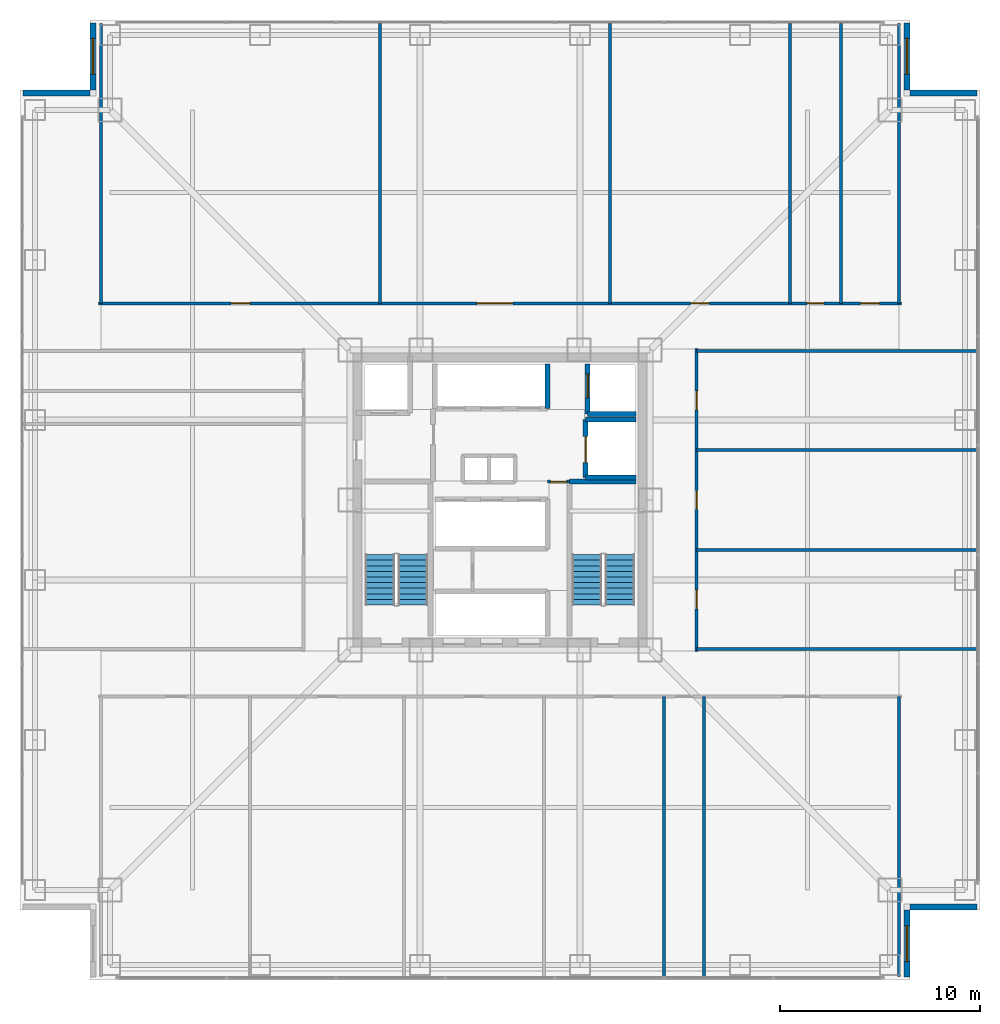
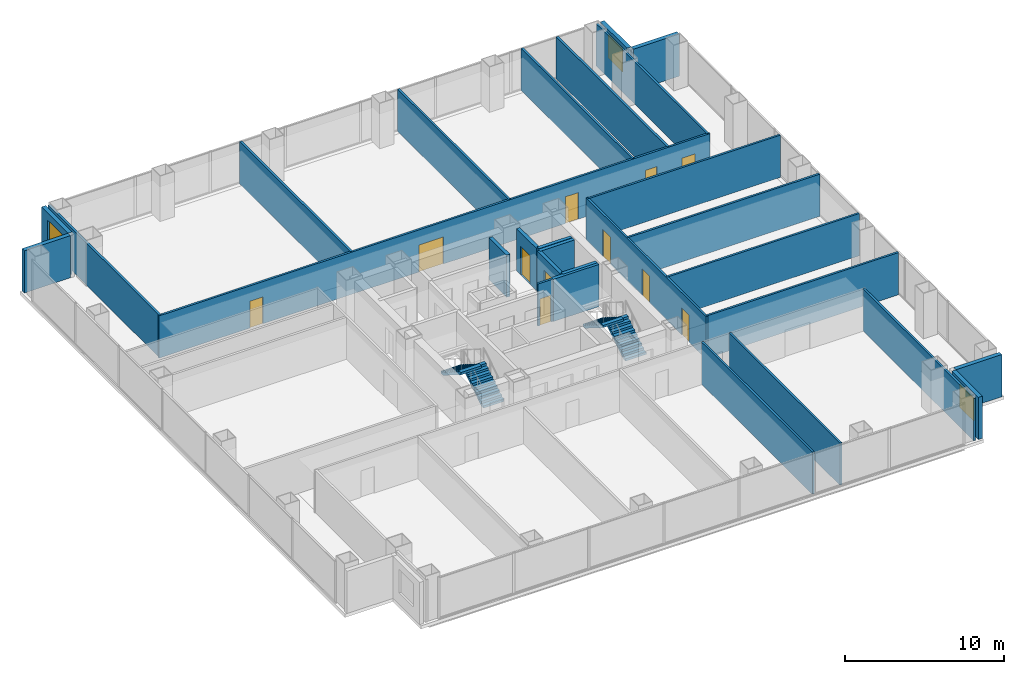
# One storey, part 16 of 19: 29 walls, 11 doors, 4 stair flights, 3 windows, 14 openings, 2 elements without a shape of their own.
"""IFC4 building model written with IfcOpenShell, lengths in metres."""

import ifcopenshell
import ifcopenshell.guid

model = None  # the IFC model being written
_history = None  # IfcOwnerHistory: only IFC2X3 demands one
_inside = {}  # id of a spatial element -> (the spatial element, [elements in it])
_under = {}  # id of a project, library or spatial element -> (it, [spatial elements below it])
_declared = {}  # id of a project -> (the project, [libraries it declares])
_typed = {}  # id of a type object -> (the type object, [elements of that type])
_made_of = {}  # id of a material, layer set ... -> (it, [elements and type objects made of it])


def new_model(schema):
    """Start an empty IFC model of exactly this schema.

    Asked for "IFC4X3", IfcOpenShell would pick the latest addendum, in which some entities
    have other attributes; the version numbers below select the first issue.
    IFC2X3 requires an IfcOwnerHistory on every rooted entity: one is made here for all.
    """
    global model, _history
    if schema == "IFC4X3":
        model = ifcopenshell.file(schema_version=(4, 3, 0, 0))
    else:
        model = ifcopenshell.file(schema=schema)
    _inside.clear()
    _under.clear()
    _declared.clear()
    _typed.clear()
    _made_of.clear()
    _history = None
    if model.schema == "IFC2X3":
        org = make("IfcOrganization", Name="unknown")
        user = make(
            "IfcPersonAndOrganization",
            ThePerson=make("IfcPerson", FamilyName="unknown"),
            TheOrganization=org,
        )
        app = make(
            "IfcApplication",
            ApplicationDeveloper=org,
            Version="unknown",
            ApplicationFullName="unknown",
            ApplicationIdentifier="unknown",
        )
        _history = make(
            "IfcOwnerHistory",
            OwningUser=user,
            OwningApplication=app,
            ChangeAction="ADDED",
            CreationDate=0,
        )
    return model


def make(cls, **values):
    """One entity of the class cls with the attributes given. An attribute that is None is left unset."""
    return model.create_entity(
        cls, **{name: value for name, value in values.items() if value is not None}
    )


def rooted(cls, **values):
    """An entity with a GlobalId (a new one), such as an element, a storey or a relation."""
    return make(cls, GlobalId=ifcopenshell.guid.new(), OwnerHistory=_history, **values)


def si_unit(unit_type, name, prefix=None):
    """IfcSIUnit, for example si_unit("LENGTHUNIT", "METRE", prefix="MILLI")."""
    return make("IfcSIUnit", UnitType=unit_type, Prefix=prefix, Name=name)


def assignment(units):
    """IfcUnitAssignment: the units of a project."""
    return None if units is None else make("IfcUnitAssignment", Units=units)


def point(xyz):
    """IfcCartesianPoint."""
    return None if xyz is None else make("IfcCartesianPoint", Coordinates=xyz)


def direction(xyz):
    """IfcDirection."""
    return None if xyz is None else make("IfcDirection", DirectionRatios=xyz)


def frame(location, z_axis=None, x_axis=None):
    """IfcAxis2Placement3D, a coordinate frame: its origin and axes. An axis left out is left unset."""
    return make(
        "IfcAxis2Placement3D",
        Location=point(location),
        Axis=direction(z_axis),
        RefDirection=direction(x_axis),
    )


def frame_2d(location, x_axis=None):
    """IfcAxis2Placement2D, a coordinate frame in the plane: its origin and x axis."""
    return make(
        "IfcAxis2Placement2D", Location=point(location), RefDirection=direction(x_axis)
    )


def origin():
    """The frame at (0, 0, 0) with its axes left unset."""
    return frame((0.0, 0.0, 0.0))


def place(relative_to, where):
    """IfcLocalPlacement: puts the frame where relative to a parent placement (None: the world)."""
    return make(
        "IfcLocalPlacement", PlacementRelTo=relative_to, RelativePlacement=where
    )


def context(
    kind, dimensions, precision=None, world=None, true_north=None, identifier=None
):
    """IfcGeometricRepresentationContext, for example the 3D "Model" context."""
    return make(
        "IfcGeometricRepresentationContext",
        ContextIdentifier=identifier,
        ContextType=kind,
        CoordinateSpaceDimension=dimensions,
        Precision=precision,
        WorldCoordinateSystem=world,
        TrueNorth=true_north,
    )


def subcontext(parent, identifier, kind, view, scale=None):
    """IfcGeometricRepresentationSubContext, for example "Body" below "Model"."""
    return make(
        "IfcGeometricRepresentationSubContext",
        ContextIdentifier=identifier,
        ContextType=kind,
        ParentContext=parent,
        TargetScale=scale,
        TargetView=view,
    )


def project(units=None, contexts=None):
    """IfcProject with its units and contexts."""
    return rooted(
        "IfcProject",
        Name="project",
        RepresentationContexts=contexts,
        UnitsInContext=assignment(units),
    )


def spatial(cls, under=None, at=None, **own):
    """A site, building, storey or space (cls), placed at a placement, below another one or the project."""
    s = rooted(cls, ObjectPlacement=at, **own)
    if under is not None:
        _under.setdefault(under.id(), (under, []))[1].append(s)
    return s


def polyline(points):
    """IfcPolyline through the points."""
    return make("IfcPolyline", Points=[point(p) for p in points])


def profile(cls, at=None, kind="AREA", **sizes):
    """A parametric profile (cls). Its sizes go by their IFC names, for example OverallWidth=200.0."""
    return make(cls, ProfileType=kind, Position=at, **sizes)


def rectangle(**sizes):
    """IfcRectangleProfileDef."""
    return profile("IfcRectangleProfileDef", **sizes)


def outline(outer, holes=None, kind="AREA"):
    """IfcArbitraryClosedProfileDef: a profile drawn as a closed curve; with holes, ...WithVoids."""
    if holes is None:
        return make("IfcArbitraryClosedProfileDef", ProfileType=kind, OuterCurve=outer)
    return make(
        "IfcArbitraryProfileDefWithVoids",
        ProfileType=kind,
        OuterCurve=outer,
        InnerCurves=holes,
    )


def extrude(swept, where, along, depth):
    """IfcExtrudedAreaSolid: the profile swept, set in the frame where, extruded along a direction by depth."""
    return make(
        "IfcExtrudedAreaSolid",
        SweptArea=swept,
        Position=where,
        ExtrudedDirection=direction(along),
        Depth=depth,
    )


def shape(context_of_items, identifier, shape_type, items):
    """IfcShapeRepresentation: the items that make up one representation, for example the "Body"."""
    return make(
        "IfcShapeRepresentation",
        ContextOfItems=context_of_items,
        RepresentationIdentifier=identifier,
        RepresentationType=shape_type,
        Items=items,
    )


def material(Name=None, Category=None):
    """IfcMaterial."""
    return make("IfcMaterial", Name=Name, Category=Category)


def layer(
    of_material, thickness, ventilated=None, Name=None, Category=None, Priority=None
):
    """IfcMaterialLayer: one layer of a wall or slab, of a material (None: an air gap)."""
    return make(
        "IfcMaterialLayer",
        Material=of_material,
        LayerThickness=thickness,
        IsVentilated=ventilated,
        Name=Name,
        Category=Category,
        Priority=Priority,
    )


def layer_set(layers, Name=None):
    """IfcMaterialLayerSet."""
    return make("IfcMaterialLayerSet", MaterialLayers=layers, LayerSetName=Name)


def made_of(thing, what):
    """Note that an element or type object is made of a material, layer set ...; save() writes the relation."""
    if what is not None:
        _made_of.setdefault(what.id(), (what, []))[1].append(thing)
    return thing


def type_object(cls, material=None, **own):
    """A type object (cls), such as IfcWallType, which elements share."""
    return made_of(rooted(cls, **own), material)


def element(
    cls,
    number,
    at=None,
    inside=None,
    cuts=None,
    type_object=None,
    material=None,
    context=None,
    identifier="Body",
    shape_type=None,
    held_by="IfcProductDefinitionShape",
    body=None,
    shapes=None,
    **own,
):
    """One element of the class cls, such as IfcWall. Its Tag is "e" and its number.

    at: its placement. inside: the storey or other place that contains it. cuts: it is an
    opening in that element (IfcRelVoidsElement). A single representation is given by context,
    identifier, shape_type and body (its items); several are given by shapes. held_by: the class
    of the entity that holds the representations. save() writes the other relations.
    """
    e = rooted(cls, Tag="e%d" % number, ObjectPlacement=at, **own)
    if body is not None:
        shapes = [shape(context, identifier, shape_type, body)]
    if shapes is not None:
        e.Representation = make(held_by, Representations=shapes)
    if inside is not None:
        _inside.setdefault(inside.id(), (inside, []))[1].append(e)
    if cuts is not None:
        rooted(
            "IfcRelVoidsElement", RelatingBuildingElement=cuts, RelatedOpeningElement=e
        )
    if type_object is not None:
        _typed.setdefault(type_object.id(), (type_object, []))[1].append(e)
    return made_of(e, material)


def fill(opening, filler):
    """IfcRelFillsElement: the door or window that sits in an opening."""
    return rooted(
        "IfcRelFillsElement",
        RelatingOpeningElement=opening,
        RelatedBuildingElement=filler,
    )


def aggregate(whole, parts):
    """IfcRelAggregates: a whole, such as a stair, and the parts it consists of."""
    return rooted("IfcRelAggregates", RelatingObject=whole, RelatedObjects=parts)


def save(model, path):
    """Write the relations noted so far, then the file.

    IfcRelAggregates (storeys below a building ...), IfcRelContainedInSpatialStructure (elements
    in a storey), IfcRelDefinesByType, IfcRelAssociatesMaterial and IfcRelDeclares: one each for
    every whole, place, type object, material and project.
    """
    for whole, parts in _under.values():
        aggregate(whole, parts)
    for where, things in _inside.values():
        rooted(
            "IfcRelContainedInSpatialStructure",
            RelatedElements=things,
            RelatingStructure=where,
        )
    for kind, things in _typed.values():
        rooted("IfcRelDefinesByType", RelatedObjects=things, RelatingType=kind)
    for what, things in _made_of.values():
        rooted("IfcRelAssociatesMaterial", RelatedObjects=things, RelatingMaterial=what)
    for by, libraries in _declared.values():
        rooted("IfcRelDeclares", RelatingContext=by, RelatedDefinitions=libraries)
    model.write(path)


model = new_model("IFC4")

# Units and contexts
model_context = context("Model", 3, precision=1e-05, world=origin(), true_north=direction((0.0, 1.0)))
body_context = subcontext(model_context, "Body", "Model", "MODEL_VIEW")
ifc_project = project(units=[si_unit("LENGTHUNIT", "METRE"), si_unit("AREAUNIT", "SQUARE_METRE"), si_unit("VOLUMEUNIT", "CUBIC_METRE"), si_unit("PLANEANGLEUNIT", "RADIAN"), si_unit("MASSUNIT", "GRAM", prefix="KILO")], contexts=[model_context])

# Site, building, storey
site_placement = place(None, origin())
site = spatial("IfcSite", under=ifc_project, at=site_placement, CompositionType="ELEMENT")
building_placement = place(site_placement, origin())
building = spatial("IfcBuilding", under=site, at=building_placement, Name="Trevonay Congress Spire", CompositionType="ELEMENT")
storey_placement = place(building_placement, frame((0.0, 0.0, 41.0)))
storey = spatial("IfcBuildingStorey", under=building, at=storey_placement, Name="L09", CompositionType="ELEMENT", Elevation=41.0)

# Wall, openings, doors
ifc_material_1 = material(Name="Concrete C40/50", Category="concrete")
ifc_layer_1 = layer(ifc_material_1, 0.14990234375, Name="Concrete C40/50")
ifc_layer_set_1 = layer_set([ifc_layer_1], Name="Concrete C40/50")
wall_type_1 = type_object("IfcWallType", Name="WAL-CORR-150", PredefinedType="PARTITIONING", material=ifc_layer_set_1)
wall_1_placement = place(storey_placement, frame((-20.070068359375, 9.830078125, 0.0), z_axis=(0.0, 0.0, 1.0), x_axis=(1.0, 0.0, 0.0)))
wall_1 = element("IfcWall", 1, at=wall_1_placement, inside=storey, type_object=wall_type_1, Name="L09 interior wall WP-L09N-COR", PredefinedType="PARTITIONING", context=body_context, shape_type="SweptSolid", body=[
    extrude(rectangle(XDim=40.14013671875, YDim=0.14990234375, at=frame_2d((20.070068359375, 0.0))), origin(), (0.0, 0.0, 1.0), 3.25),
])
opening_1_placement = place(wall_1_placement, frame((6.6201171875, 0.0, 0.0)))
opening_1 = element("IfcOpeningElement", 2, at=opening_1_placement, cuts=wall_1, Name="Opening D07", PredefinedType="OPENING", context=body_context, shape_type="SweptSolid", body=[
    extrude(rectangle(XDim=0.949951171875, YDim=2.06005859375, at=frame_2d((0.47509765625, 1.030029296875))), frame((0.0, 0.0849609375, 0.0), z_axis=(0.0, -1.0, 0.0), x_axis=(1.0, 0.0, 0.0)), (0.0, 0.0, 1.0), 0.169921875),
])
opening_2_placement = place(wall_1_placement, frame((18.919921875, 0.0, 0.0)))
opening_2 = element("IfcOpeningElement", 3, at=opening_2_placement, cuts=wall_1, Name="Opening D09", PredefinedType="OPENING", context=body_context, shape_type="SweptSolid", body=[
    extrude(rectangle(XDim=1.800048828125, YDim=2.080078125, at=frame_2d((0.89990234375, 1.0400390625))), frame((0.0, 0.0849609375, 0.0), z_axis=(0.0, -1.0, 0.0), x_axis=(1.0, 0.0, 0.0)), (0.0, 0.0, 1.0), 0.169921875),
])
opening_3_placement = place(wall_1_placement, frame((29.594970703125, 0.0, 0.0)))
opening_3 = element("IfcOpeningElement", 4, at=opening_3_placement, cuts=wall_1, Name="Opening D07", PredefinedType="OPENING", context=body_context, shape_type="SweptSolid", body=[
    extrude(rectangle(XDim=0.949951171875, YDim=2.06005859375, at=frame_2d((0.47509765625, 1.030029296875))), frame((0.0, 0.0849609375, 0.0), z_axis=(0.0, -1.0, 0.0), x_axis=(1.0, 0.0, 0.0)), (0.0, 0.0, 1.0), 0.169921875),
])
opening_4_placement = place(wall_1_placement, frame((35.419921875, 0.0, 0.0)))
opening_4 = element("IfcOpeningElement", 5, at=opening_4_placement, cuts=wall_1, Name="Opening D10", PredefinedType="OPENING", context=body_context, shape_type="SweptSolid", body=[
    extrude(rectangle(XDim=0.85009765625, YDim=2.050048828125, at=frame_2d((0.425048828125, 1.02490234375))), frame((0.0, 0.0849609375, 0.0), z_axis=(0.0, -1.0, 0.0), x_axis=(1.0, 0.0, 0.0)), (0.0, 0.0, 1.0), 0.169921875),
])
opening_5_placement = place(wall_1_placement, frame((38.094970703125, 0.0, 0.0)))
opening_5 = element("IfcOpeningElement", 6, at=opening_5_placement, cuts=wall_1, Name="Opening D07", PredefinedType="OPENING", context=body_context, shape_type="SweptSolid", body=[
    extrude(rectangle(XDim=0.949951171875, YDim=2.06005859375, at=frame_2d((0.47509765625, 1.030029296875))), frame((0.0, 0.0849609375, 0.0), z_axis=(0.0, -1.0, 0.0), x_axis=(1.0, 0.0, 0.0)), (0.0, 0.0, 1.0), 0.169921875),
])
ifc_material_2 = material(Name="Pale Anodised Aluminium EN AW-6063-T6", Category="aluminium")
door_type_1 = type_object("IfcDoorType", Name="DOR-CONF-DBL", OperationType="DOUBLE_DOOR_SINGLE_SWING", PredefinedType="DOOR", material=ifc_material_2)
door_1_placement = place(opening_2_placement, origin())
door_1 = element("IfcDoor", 7, at=door_1_placement, inside=storey, type_object=door_type_1, Name="L09 Rapporteur Drafting Salon Door", OperationType="DOUBLE_DOOR_SINGLE_SWING", OverallHeight=2.080078125, OverallWidth=1.800048828125, PredefinedType="DOOR", context=body_context, shape_type="SweptSolid", body=[
    extrude(rectangle(XDim=1.800048828125, YDim=2.080078125, at=frame_2d((0.89990234375, 1.0400390625))), frame((0.0, 0.02490234375, 0.0), z_axis=(0.0, -1.0, 0.0), x_axis=(1.0, 0.0, 0.0)), (0.0, 0.0, 1.0), 0.050048828125),
])
fill(opening_2, door_1)
door_type_2 = type_object("IfcDoorType", Name="DOR-OFFICE-95", OperationType="NOTDEFINED", PredefinedType="DOOR", material=ifc_material_2)
door_2_placement = place(opening_1_placement, origin())
door_2 = element("IfcDoor", 8, at=door_2_placement, inside=storey, type_object=door_type_2, Name="L09 Translation Secretariat Office West Door", OperationType="SINGLE_SWING_RIGHT", OverallHeight=2.06005859375, OverallWidth=0.949951171875, PredefinedType="DOOR", context=body_context, shape_type="SweptSolid", body=[
    extrude(rectangle(XDim=0.949951171875, YDim=2.06005859375, at=frame_2d((0.47509765625, 1.030029296875))), frame((0.0, 0.02490234375, 0.0), z_axis=(0.0, -1.0, 0.0), x_axis=(1.0, 0.0, 0.0)), (0.0, 0.0, 1.0), 0.050048828125),
])
fill(opening_1, door_2)
door_3_placement = place(opening_3_placement, origin())
door_3 = element("IfcDoor", 9, at=door_3_placement, inside=storey, type_object=door_type_2, Name="L09 Congress Operations Office East Door", OperationType="SINGLE_SWING_LEFT", OverallHeight=2.06005859375, OverallWidth=0.949951171875, PredefinedType="DOOR", context=body_context, shape_type="SweptSolid", body=[
    extrude(rectangle(XDim=0.949951171875, YDim=2.06005859375, at=frame_2d((0.47509765625, 1.030029296875))), frame((0.0, 0.02490234375, 0.0), z_axis=(0.0, -1.0, 0.0), x_axis=(1.0, 0.0, 0.0)), (0.0, 0.0, 1.0), 0.050048828125),
])
fill(opening_3, door_3)
door_4_placement = place(opening_5_placement, origin())
door_4 = element("IfcDoor", 10, at=door_4_placement, inside=storey, type_object=door_type_2, Name="L09 Floor Supplies and Copy Room Door", OperationType="SINGLE_SWING_LEFT", OverallHeight=2.06005859375, OverallWidth=0.949951171875, PredefinedType="DOOR", context=body_context, shape_type="SweptSolid", body=[
    extrude(rectangle(XDim=0.949951171875, YDim=2.06005859375, at=frame_2d((0.47509765625, 1.030029296875))), frame((0.0, 0.02490234375, 0.0), z_axis=(0.0, -1.0, 0.0), x_axis=(1.0, 0.0, 0.0)), (0.0, 0.0, 1.0), 0.050048828125),
])
fill(opening_5, door_4)
door_type_3 = type_object("IfcDoorType", Name="DOR-WC-85", OperationType="NOTDEFINED", PredefinedType="DOOR", material=ifc_material_2)
door_5_placement = place(opening_4_placement, origin())
door_5 = element("IfcDoor", 11, at=door_5_placement, inside=storey, type_object=door_type_3, Name="L09 Female Restroom WC Door", OperationType="SINGLE_SWING_RIGHT", OverallHeight=2.050048828125, OverallWidth=0.85009765625, PredefinedType="DOOR", context=body_context, shape_type="SweptSolid", body=[
    extrude(rectangle(XDim=0.85009765625, YDim=2.050048828125, at=frame_2d((0.425048828125, 1.02490234375))), frame((0.0, 0.02490234375, 0.0), z_axis=(0.0, -1.0, 0.0), x_axis=(1.0, 0.0, 0.0)), (0.0, 0.0, 1.0), 0.050048828125),
])
fill(opening_4, door_5)

wall_2_placement = place(storey_placement, frame((9.830078125, -7.570068359375, 0.0), z_axis=(0.0, 0.0, 1.0), x_axis=(0.0, 1.0, 0.0)))
wall_2 = element("IfcWall", 12, at=wall_2_placement, inside=storey, type_object=wall_type_1, Name="L09 interior wall WP-L09E-COR", PredefinedType="PARTITIONING", context=body_context, shape_type="SweptSolid", body=[
    extrude(rectangle(XDim=15.14013671875, YDim=0.14990234375, at=frame_2d((7.570068359375, 0.0))), origin(), (0.0, 0.0, 1.0), 3.25),
])
opening_6_placement = place(wall_2_placement, frame((2.1201171875, 0.0, 0.0)))
opening_6 = element("IfcOpeningElement", 13, at=opening_6_placement, cuts=wall_2, Name="Opening D07", PredefinedType="OPENING", context=body_context, shape_type="SweptSolid", body=[
    extrude(rectangle(XDim=0.949951171875, YDim=2.06005859375, at=frame_2d((0.47509765625, 1.030029296875))), frame((0.0, 0.0849609375, 0.0), z_axis=(0.0, -1.0, 0.0), x_axis=(1.0, 0.0, 0.0)), (0.0, 0.0, 1.0), 0.169921875),
])
opening_7_placement = place(wall_2_placement, frame((7.094970703125, 0.0, 0.0)))
opening_7 = element("IfcOpeningElement", 14, at=opening_7_placement, cuts=wall_2, Name="Opening D07", PredefinedType="OPENING", context=body_context, shape_type="SweptSolid", body=[
    extrude(rectangle(XDim=0.949951171875, YDim=2.06005859375, at=frame_2d((0.47509765625, 1.030029296875))), frame((0.0, 0.0849609375, 0.0), z_axis=(0.0, -1.0, 0.0), x_axis=(1.0, 0.0, 0.0)), (0.0, 0.0, 1.0), 0.169921875),
])
opening_8_placement = place(wall_2_placement, frame((12.070068359375, 0.0, 0.0)))
opening_8 = element("IfcOpeningElement", 15, at=opening_8_placement, cuts=wall_2, Name="Opening D07", PredefinedType="OPENING", context=body_context, shape_type="SweptSolid", body=[
    extrude(rectangle(XDim=0.949951171875, YDim=2.06005859375, at=frame_2d((0.47509765625, 1.030029296875))), frame((0.0, 0.0849609375, 0.0), z_axis=(0.0, -1.0, 0.0), x_axis=(1.0, 0.0, 0.0)), (0.0, 0.0, 1.0), 0.169921875),
])
door_6_placement = place(opening_6_placement, origin())
door_6 = element("IfcDoor", 16, at=door_6_placement, inside=storey, type_object=door_type_2, Name="L09 Housekeeping and Linen Room Door", OperationType="SINGLE_SWING_RIGHT", OverallHeight=2.06005859375, OverallWidth=0.949951171875, PredefinedType="DOOR", context=body_context, shape_type="SweptSolid", body=[
    extrude(rectangle(XDim=0.949951171875, YDim=2.06005859375, at=frame_2d((0.47509765625, 1.030029296875))), frame((0.0, 0.02490234375, 0.0), z_axis=(0.0, -1.0, 0.0), x_axis=(1.0, 0.0, 0.0)), (0.0, 0.0, 1.0), 0.050048828125),
])
fill(opening_6, door_6)
door_7_placement = place(opening_7_placement, origin())
door_7 = element("IfcDoor", 17, at=door_7_placement, inside=storey, type_object=door_type_2, Name="L09 Hotel Business Office Door", OperationType="SINGLE_SWING_LEFT", OverallHeight=2.06005859375, OverallWidth=0.949951171875, PredefinedType="DOOR", context=body_context, shape_type="SweptSolid", body=[
    extrude(rectangle(XDim=0.949951171875, YDim=2.06005859375, at=frame_2d((0.47509765625, 1.030029296875))), frame((0.0, 0.02490234375, 0.0), z_axis=(0.0, -1.0, 0.0), x_axis=(1.0, 0.0, 0.0)), (0.0, 0.0, 1.0), 0.050048828125),
])
fill(opening_7, door_7)
door_8_placement = place(opening_8_placement, origin())
door_8 = element("IfcDoor", 18, at=door_8_placement, inside=storey, type_object=door_type_2, Name="L09 Valet Laundry Room Door", OperationType="SINGLE_SWING_RIGHT", OverallHeight=2.06005859375, OverallWidth=0.949951171875, PredefinedType="DOOR", context=body_context, shape_type="SweptSolid", body=[
    extrude(rectangle(XDim=0.949951171875, YDim=2.06005859375, at=frame_2d((0.47509765625, 1.030029296875))), frame((0.0, 0.02490234375, 0.0), z_axis=(0.0, -1.0, 0.0), x_axis=(1.0, 0.0, 0.0)), (0.0, 0.0, 1.0), 0.050048828125),
])
fill(opening_8, door_8)

# Wall, opening, window
ifc_material_3 = material(Name="Precast concrete C40/50", Category="concrete")
ifc_layer_2 = layer(ifc_material_3, 0.300048828125, Name="Precast concrete C40/50")
ifc_layer_set_2 = layer_set([ifc_layer_2], Name="Precast concrete C40/50")
wall_type_2 = type_object("IfcWallType", Name="WAL-EXT-PRECAST-300", PredefinedType="SOLIDWALL", material=ifc_layer_set_2)
wall_3_placement = place(storey_placement, frame((20.35009765625, -23.85009765625, 0.0), z_axis=(0.0, 0.0, 1.0), x_axis=(0.0, 1.0, 0.0)))
wall_3 = element("IfcWall", 19, at=wall_3_placement, inside=storey, type_object=wall_type_2, Name="L09 SE re-entrant notch exterior wall 1", PredefinedType="SOLIDWALL", context=body_context, shape_type="SweptSolid", body=[
    extrude(rectangle(XDim=3.35009765625, YDim=0.300048828125, at=frame_2d((1.675048828125, 0.0))), origin(), (0.0, 0.0, 1.0), 3.25),
])
opening_9_placement = place(wall_3_placement, frame((0.77490234375, 0.0, 0.89990234375)))
opening_9 = element("IfcOpeningElement", 20, at=opening_9_placement, cuts=wall_3, Name="Opening WN01", PredefinedType="OPENING", context=body_context, shape_type="SweptSolid", body=[
    extrude(rectangle(XDim=1.800048828125, YDim=1.800048828125, at=frame_2d((0.89990234375, 0.89990234375))), frame((0.0, 0.16015625, 0.0), z_axis=(0.0, -1.0, 0.0), x_axis=(1.0, 0.0, 0.0)), (0.0, 0.0, 1.0), 0.320068359375),
])
ifc_material_4 = material(Name="Insulated Low-E Vision Glass IGU", Category="glass")
window_type = type_object("IfcWindowType", Name="WIN-HOTEL-180X180", PartitioningType="SINGLE_PANEL", PredefinedType="WINDOW", material=ifc_material_4)
window_1_placement = place(opening_9_placement, origin())
window_1 = element("IfcWindow", 21, at=window_1_placement, inside=storey, type_object=window_type, Name="L09 SE corner notch window", OverallHeight=1.800048828125, OverallWidth=1.800048828125, PartitioningType="SINGLE_PANEL", PredefinedType="WINDOW", context=body_context, shape_type="SweptSolid", body=[
    extrude(rectangle(XDim=1.800048828125, YDim=1.800048828125, at=frame_2d((0.89990234375, 0.89990234375))), frame((0.0, 0.030029296875, 0.0), z_axis=(0.0, -1.0, 0.0), x_axis=(1.0, 0.0, 0.0)), (0.0, 0.0, 1.0), 0.06005859375),
])
fill(opening_9, window_1)

# Wall
wall_4_placement = place(storey_placement, frame((23.85009765625, -20.35009765625, 0.0), z_axis=(0.0, 0.0, 1.0), x_axis=(-1.0, 0.0, 0.0)))
element("IfcWall", 22, at=wall_4_placement, inside=storey, type_object=wall_type_2, Name="L09 SE re-entrant notch exterior wall 2", PredefinedType="SOLIDWALL", context=body_context, shape_type="SweptSolid", body=[
    extrude(rectangle(XDim=3.35009765625, YDim=0.300048828125, at=frame_2d((1.675048828125, 0.0))), origin(), (0.0, 0.0, 1.0), 3.25),
])

# Wall, opening, window
wall_5_placement = place(storey_placement, frame((20.35009765625, 23.85009765625, 0.0), z_axis=(0.0, 0.0, 1.0), x_axis=(0.0, -1.0, 0.0)))
wall_5 = element("IfcWall", 23, at=wall_5_placement, inside=storey, type_object=wall_type_2, Name="L09 NE re-entrant notch exterior wall 1", PredefinedType="SOLIDWALL", context=body_context, shape_type="SweptSolid", body=[
    extrude(rectangle(XDim=3.35009765625, YDim=0.300048828125, at=frame_2d((1.675048828125, 0.0))), origin(), (0.0, 0.0, 1.0), 3.25),
])
opening_10_placement = place(wall_5_placement, frame((0.77490234375, 0.0, 0.89990234375)))
opening_10 = element("IfcOpeningElement", 24, at=opening_10_placement, cuts=wall_5, Name="Opening WN01", PredefinedType="OPENING", context=body_context, shape_type="SweptSolid", body=[
    extrude(rectangle(XDim=1.800048828125, YDim=1.800048828125, at=frame_2d((0.89990234375, 0.89990234375))), frame((0.0, 0.16015625, 0.0), z_axis=(0.0, -1.0, 0.0), x_axis=(1.0, 0.0, 0.0)), (0.0, 0.0, 1.0), 0.320068359375),
])
window_2_placement = place(opening_10_placement, origin())
window_2 = element("IfcWindow", 25, at=window_2_placement, inside=storey, type_object=window_type, Name="L09 NE corner notch window", OverallHeight=1.800048828125, OverallWidth=1.800048828125, PartitioningType="SINGLE_PANEL", PredefinedType="WINDOW", context=body_context, shape_type="SweptSolid", body=[
    extrude(rectangle(XDim=1.800048828125, YDim=1.800048828125, at=frame_2d((0.89990234375, 0.89990234375))), frame((0.0, 0.030029296875, 0.0), z_axis=(0.0, -1.0, 0.0), x_axis=(1.0, 0.0, 0.0)), (0.0, 0.0, 1.0), 0.06005859375),
])
fill(opening_10, window_2)

# Wall
wall_6_placement = place(storey_placement, frame((23.85009765625, 20.35009765625, 0.0), z_axis=(0.0, 0.0, 1.0), x_axis=(-1.0, 0.0, 0.0)))
element("IfcWall", 26, at=wall_6_placement, inside=storey, type_object=wall_type_2, Name="L09 NE re-entrant notch exterior wall 2", PredefinedType="SOLIDWALL", context=body_context, shape_type="SweptSolid", body=[
    extrude(rectangle(XDim=3.35009765625, YDim=0.300048828125, at=frame_2d((1.675048828125, 0.0))), origin(), (0.0, 0.0, 1.0), 3.25),
])

# Wall, opening, window
wall_7_placement = place(storey_placement, frame((-20.35009765625, 23.85009765625, 0.0), z_axis=(0.0, 0.0, 1.0), x_axis=(0.0, -1.0, 0.0)))
wall_7 = element("IfcWall", 27, at=wall_7_placement, inside=storey, type_object=wall_type_2, Name="L09 NW re-entrant notch exterior wall 1", PredefinedType="SOLIDWALL", context=body_context, shape_type="SweptSolid", body=[
    extrude(rectangle(XDim=3.35009765625, YDim=0.300048828125, at=frame_2d((1.675048828125, 0.0))), origin(), (0.0, 0.0, 1.0), 3.25),
])
opening_11_placement = place(wall_7_placement, frame((0.77490234375, 0.0, 0.89990234375)))
opening_11 = element("IfcOpeningElement", 28, at=opening_11_placement, cuts=wall_7, Name="Opening WN01", PredefinedType="OPENING", context=body_context, shape_type="SweptSolid", body=[
    extrude(rectangle(XDim=1.800048828125, YDim=1.800048828125, at=frame_2d((0.89990234375, 0.89990234375))), frame((0.0, 0.16015625, 0.0), z_axis=(0.0, -1.0, 0.0), x_axis=(1.0, 0.0, 0.0)), (0.0, 0.0, 1.0), 0.320068359375),
])
window_3_placement = place(opening_11_placement, origin())
window_3 = element("IfcWindow", 29, at=window_3_placement, inside=storey, type_object=window_type, Name="L09 NW corner notch window", OverallHeight=1.800048828125, OverallWidth=1.800048828125, PartitioningType="SINGLE_PANEL", PredefinedType="WINDOW", context=body_context, shape_type="SweptSolid", body=[
    extrude(rectangle(XDim=1.800048828125, YDim=1.800048828125, at=frame_2d((0.89990234375, 0.89990234375))), frame((0.0, 0.030029296875, 0.0), z_axis=(0.0, -1.0, 0.0), x_axis=(1.0, 0.0, 0.0)), (0.0, 0.0, 1.0), 0.06005859375),
])
fill(opening_11, window_3)

# Wall
wall_8_placement = place(storey_placement, frame((-23.85009765625, 20.35009765625, 0.0), z_axis=(0.0, 0.0, 1.0), x_axis=(1.0, 0.0, 0.0)))
element("IfcWall", 30, at=wall_8_placement, inside=storey, type_object=wall_type_2, Name="L09 NW re-entrant notch exterior wall 2", PredefinedType="SOLIDWALL", context=body_context, shape_type="SweptSolid", body=[
    extrude(rectangle(XDim=3.35009765625, YDim=0.300048828125, at=frame_2d((1.675048828125, 0.0))), origin(), (0.0, 0.0, 1.0), 3.25),
])

# Wall, opening, door
ifc_layer_3 = layer(ifc_material_1, 0.14990234375, Name="Concrete C40/50")
ifc_layer_set_3 = layer_set([ifc_layer_3], Name="Concrete C40/50")
wall_type_3 = type_object("IfcWallType", Name="WAL-PART-150", PredefinedType="PARTITIONING", material=ifc_layer_set_3)
wall_9_placement = place(storey_placement, frame((2.3798828125, 0.919921875, 0.0), z_axis=(0.0, 0.0, 1.0), x_axis=(1.0, 0.0, 0.0)))
wall_9 = element("IfcWall", 31, at=wall_9_placement, inside=storey, type_object=wall_type_3, Name="L09 interior wall CW-CSRV-N-L09", PredefinedType="PARTITIONING", context=body_context, shape_type="SweptSolid", body=[
    extrude(rectangle(XDim=1.090087890625, YDim=0.14990234375, at=frame_2d((0.544921875, 0.0))), origin(), (0.0, 0.0, 1.0), 3.25),
])
opening_12_placement = place(wall_9_placement, frame((0.135009765625, 0.0, 0.0)))
opening_12 = element("IfcOpeningElement", 32, at=opening_12_placement, cuts=wall_9, Name="Opening D13", PredefinedType="OPENING", context=body_context, shape_type="SweptSolid", body=[
    extrude(rectangle(XDim=0.820068359375, YDim=2.050048828125, at=frame_2d((0.41015625, 1.02490234375))), frame((0.0, 0.0849609375, 0.0), z_axis=(0.0, -1.0, 0.0), x_axis=(1.0, 0.0, 0.0)), (0.0, 0.0, 1.0), 0.169921875),
])
ifc_material_5 = material(Name="Steel ASTM A572 Grade 50", Category="steel")
door_type_4 = type_object("IfcDoorType", Name="DOR-UTIL-80", OperationType="NOTDEFINED", PredefinedType="DOOR", material=ifc_material_5)
door_9_placement = place(opening_12_placement, origin())
door_9 = element("IfcDoor", 33, at=door_9_placement, inside=storey, type_object=door_type_4, Name="L09 Core Service Pocket Door", OperationType="SINGLE_SWING_LEFT", OverallHeight=2.050048828125, OverallWidth=0.820068359375, PredefinedType="DOOR", context=body_context, shape_type="SweptSolid", body=[
    extrude(rectangle(XDim=0.820068359375, YDim=2.050048828125, at=frame_2d((0.41015625, 1.02490234375))), frame((0.0, 0.02490234375, 0.0), z_axis=(0.0, -1.0, 0.0), x_axis=(1.0, 0.0, 0.0)), (0.0, 0.0, 1.0), 0.050048828125),
])
fill(opening_12, door_9)

# Walls
for number, where, z_axis, x_axis, name in (
    (34, (8.199951171875, -23.820068359375, 0.0), (0.0, 0.0, 1.0), (0.0, 1.0, 0.0), "L09 interior wall WP-L09S-DIV5"),
    (35, (10.199951171875, -23.820068359375, 0.0), (0.0, 0.0, 1.0), (0.0, 1.0, 0.0), "L09 interior wall WP-L09S-DIV6"),
    (36, (19.949951171875, -23.820068359375, 0.0), (0.0, 0.0, 1.0), (0.0, 1.0, 0.0), "L09 interior wall WP-L09S-DIV7"),
    (37, (5.5, 9.830078125, 0.0), (0.0, 0.0, 1.0), (0.0, 1.0, 0.0), "L09 interior wall WP-L09N-DIV3"),
    (38, (14.5, 9.830078125, 0.0), (0.0, 0.0, 1.0), (0.0, 1.0, 0.0), "L09 interior wall WP-L09N-DIV4"),
    (39, (19.949951171875, 9.830078125, 0.0), (0.0, 0.0, 1.0), (0.0, 1.0, 0.0), "L09 interior wall WP-L09N-DIV5"),
    (40, (9.830078125, -7.449951171875, 0.0), (0.0, 0.0, 1.0), (1.0, 0.0, 0.0), "L09 interior wall WP-L09E-DIV1"),
    (41, (9.830078125, -2.5, 0.0), (0.0, 0.0, 1.0), (1.0, 0.0, 0.0), "L09 interior wall WP-L09E-DIV2"),
    (42, (9.830078125, 2.5, 0.0), (0.0, 0.0, 1.0), (1.0, 0.0, 0.0), "L09 interior wall WP-L09E-DIV3"),
    (43, (9.830078125, 7.449951171875, 0.0), (0.0, 0.0, 1.0), (1.0, 0.0, 0.0), "L09 interior wall WP-L09E-DIV4"),
):
    element("IfcWall", number, at=place(storey_placement, frame(where, z_axis=z_axis, x_axis=x_axis)), inside=storey, type_object=wall_type_3, Name=name, PredefinedType="PARTITIONING", context=body_context, shape_type="SweptSolid", body=[
        extrude(rectangle(XDim=13.989990234375, YDim=0.14990234375, at=frame_2d((6.9951171875, 0.0))), origin(), (0.0, 0.0, 1.0), 3.25),
    ])
ifc_layer_4 = layer(ifc_material_1, 0.25, Name="Concrete C40/50")
ifc_layer_set_4 = layer_set([ifc_layer_4], Name="Concrete C40/50")
wall_type_4 = type_object("IfcWallType", Name="WAL-SHAFT-250", PredefinedType="SHEAR", material=ifc_layer_set_4)
wall_10_placement = place(storey_placement, frame((2.3798828125, 4.580078125, 0.0), z_axis=(0.0, 0.0, 1.0), x_axis=(0.0, 1.0, 0.0)))
element("IfcWall", 44, at=wall_10_placement, inside=storey, type_object=wall_type_4, Name="L09 interior shaft wall WSH-L09-B3-E", PredefinedType="SHEAR", context=body_context, shape_type="SweptSolid", body=[
    extrude(rectangle(XDim=2.219970703125, YDim=0.25, at=frame_2d((1.10986328125, 0.0))), origin(), (0.0, 0.0, 1.0), 3.25),
])
wall_11_placement = place(storey_placement, frame((4.3798828125, 4.300048828125, 0.0), z_axis=(0.0, 0.0, 1.0), x_axis=(1.0, 0.0, 0.0)))
element("IfcWall", 45, at=wall_11_placement, inside=storey, type_object=wall_type_4, Name="L09 interior shaft wall WSH-L09-FF2-S", PredefinedType="SHEAR", context=body_context, shape_type="SweptSolid", body=[
    extrude(rectangle(XDim=2.420166015625, YDim=0.25, at=frame_2d((1.2099609375, 0.0))), origin(), (0.0, 0.0, 1.0), 3.25),
])

# Wall, opening, door
wall_12_placement = place(storey_placement, frame((4.3798828125, 4.300048828125, 0.0), z_axis=(0.0, 0.0, 1.0), x_axis=(0.0, 1.0, 0.0)))
wall_12 = element("IfcWall", 46, at=wall_12_placement, inside=storey, type_object=wall_type_4, Name="L09 interior shaft wall WSH-L09-FF2-W", PredefinedType="SHEAR", context=body_context, shape_type="SweptSolid", body=[
    extrude(rectangle(XDim=2.5, YDim=0.25, at=frame_2d((1.25, 0.0))), origin(), (0.0, 0.0, 1.0), 3.25),
])
opening_13_placement = place(wall_12_placement, frame((0.800048828125, 0.0, 0.0)))
opening_13 = element("IfcOpeningElement", 47, at=opening_13_placement, cuts=wall_12, Name="Opening LD04", PredefinedType="OPENING", context=body_context, shape_type="SweptSolid", body=[
    extrude(rectangle(XDim=1.199951171875, YDim=2.199951171875, at=frame_2d((0.60009765625, 1.10009765625))), frame((0.0, 0.135009765625, 0.0), z_axis=(0.0, -1.0, 0.0), x_axis=(1.0, 0.0, 0.0)), (0.0, 0.0, 1.0), 0.27001953125),
])
door_type_5 = type_object("IfcDoorType", Name="DOR-LIFT-LD04", OperationType="DOUBLE_DOOR_SLIDING", PredefinedType="DOOR", material=ifc_material_5)
door_10_placement = place(opening_13_placement, origin())
door_10 = element("IfcDoor", 48, at=door_10_placement, inside=storey, type_object=door_type_5, Name="L09 Firefighting lift FFL-02 landing door", OperationType="DOUBLE_DOOR_SLIDING", OverallHeight=2.199951171875, OverallWidth=1.199951171875, PredefinedType="DOOR", context=body_context, shape_type="SweptSolid", body=[
    extrude(rectangle(XDim=1.199951171875, YDim=2.199951171875, at=frame_2d((0.60009765625, 1.10009765625))), frame((0.0, 0.02490234375, 0.0), z_axis=(0.0, -1.0, 0.0), x_axis=(1.0, 0.0, 0.0)), (0.0, 0.0, 1.0), 0.050048828125),
])
fill(opening_13, door_10)

wall_13_placement = place(storey_placement, frame((4.280029296875, 1.1201171875, 0.0), z_axis=(0.0, 0.0, 1.0), x_axis=(0.0, 1.0, 0.0)))
wall_13 = element("IfcWall", 49, at=wall_13_placement, inside=storey, type_object=wall_type_4, Name="L09 interior shaft wall WSH-L09-SV-W", PredefinedType="SHEAR", context=body_context, shape_type="SweptSolid", body=[
    extrude(rectangle(XDim=2.89990234375, YDim=0.25, at=frame_2d((1.449951171875, 0.0))), origin(), (0.0, 0.0, 1.0), 3.25),
])
opening_14_placement = place(wall_13_placement, frame((0.75, 0.0, 0.0)))
opening_14 = element("IfcOpeningElement", 50, at=opening_14_placement, cuts=wall_13, Name="Opening LD05", PredefinedType="OPENING", context=body_context, shape_type="SweptSolid", body=[
    extrude(rectangle(XDim=1.300048828125, YDim=2.300048828125, at=frame_2d((0.64990234375, 1.14990234375))), frame((0.0, 0.135009765625, 0.0), z_axis=(0.0, -1.0, 0.0), x_axis=(1.0, 0.0, 0.0)), (0.0, 0.0, 1.0), 0.27001953125),
])
door_type_6 = type_object("IfcDoorType", Name="DOR-LIFT-LD05", OperationType="DOUBLE_DOOR_SLIDING", PredefinedType="DOOR", material=ifc_material_5)
door_11_placement = place(opening_14_placement, origin())
door_11 = element("IfcDoor", 51, at=door_11_placement, inside=storey, type_object=door_type_6, Name="L09 Goods lift SVL-01 landing door", OperationType="DOUBLE_DOOR_SLIDING", OverallHeight=2.300048828125, OverallWidth=1.300048828125, PredefinedType="DOOR", context=body_context, shape_type="SweptSolid", body=[
    extrude(rectangle(XDim=1.300048828125, YDim=2.300048828125, at=frame_2d((0.64990234375, 1.14990234375))), frame((0.0, 0.02490234375, 0.0), z_axis=(0.0, -1.0, 0.0), x_axis=(1.0, 0.0, 0.0)), (0.0, 0.0, 1.0), 0.050048828125),
])
fill(opening_14, door_11)

# Walls
for number, where, z_axis, x_axis, name in (
    (52, (4.280029296875, 1.1201171875, 0.0), (0.0, 0.0, 1.0), (1.0, 0.0, 0.0), "L09 interior shaft wall WSH-L09-SV-S"),
    (53, (4.280029296875, 4.02001953125, 0.0), (0.0, 0.0, 1.0), (1.0, 0.0, 0.0), "L09 interior shaft wall WSH-L09-SV-N"),
):
    element("IfcWall", number, at=place(storey_placement, frame(where, z_axis=z_axis, x_axis=x_axis)), inside=storey, type_object=wall_type_4, Name=name, PredefinedType="SHEAR", context=body_context, shape_type="SweptSolid", body=[
        extrude(rectangle(XDim=2.52001953125, YDim=0.25, at=frame_2d((1.260009765625, 0.0))), origin(), (0.0, 0.0, 1.0), 3.25),
    ])
ifc_layer_5 = layer(ifc_material_1, 0.25, Name="Concrete C40/50")
ifc_layer_set_5 = layer_set([ifc_layer_5], Name="Concrete C40/50")
wall_type_5 = type_object("IfcWallType", Name="WAL-SHAFT-LB-250", PredefinedType="SHEAR", material=ifc_layer_set_5)
wall_14_placement = place(storey_placement, frame((3.469970703125, 0.919921875, 0.0), z_axis=(0.0, 0.0, 1.0), x_axis=(1.0, 0.0, 0.0)))
element("IfcWall", 54, at=wall_14_placement, inside=storey, type_object=wall_type_5, Name="L09 interior shaft wall WSH-L09-ST2-N", PredefinedType="SHEAR", context=body_context, shape_type="SweptSolid", body=[
    extrude(rectangle(XDim=3.330078125, YDim=0.25, at=frame_2d((1.6650390625, 0.0))), origin(), (0.0, 0.0, 1.0), 3.25),
])
ifc_layer_6 = layer(ifc_material_1, 0.1650390625, Name="Concrete C40/50")
ifc_layer_set_6 = layer_set([ifc_layer_6], Name="Concrete C40/50")
wall_type_6 = type_object("IfcWallType", Name="WAL-WET-165", PredefinedType="PLUMBINGWALL", material=ifc_layer_set_6)
for number, where, z_axis, x_axis, name in (
    (55, (17.050048828125, 9.830078125, 0.0), (0.0, 0.0, 1.0), (0.0, 1.0, 0.0), "L09 interior wall WP-L09N-WCS4"),
    (56, (-19.949951171875, 9.830078125, 0.0), (0.0, 0.0, 1.0), (0.0, 1.0, 0.0), "L09 interior wall WP-L09N-DIV1"),
    (57, (-6.0, 9.830078125, 0.0), (0.0, 0.0, 1.0), (0.0, 1.0, 0.0), "L09 interior wall WP-L09N-DIV2"),
):
    element("IfcWall", number, at=place(storey_placement, frame(where, z_axis=z_axis, x_axis=x_axis)), inside=storey, type_object=wall_type_6, Name=name, PredefinedType="PLUMBINGWALL", context=body_context, shape_type="SweptSolid", body=[
        extrude(rectangle(XDim=13.989990234375, YDim=0.1650390625, at=frame_2d((6.9951171875, 0.0))), origin(), (0.0, 0.0, 1.0), 3.25),
    ])

# Stair, stair flights
stair_type_1 = type_object("IfcStairType", Name="STR-ST-1", PredefinedType="HALF_TURN_STAIR", material=ifc_material_1)
stair_1_placement = place(storey_placement, origin())
stair_1 = element("IfcStair", 58, at=stair_1_placement, inside=storey, type_object=stair_type_1, Name="L09 Protected Exit Stair ST-1", PredefinedType="HALF_TURN_STAIR")
stair_flight_type_1 = type_object("IfcStairFlightType", Name="SFL-ST-1", PredefinedType="STRAIGHT", material=ifc_material_1)
stair_flight_1_placement = place(storey_placement, frame((-4.35009765625, -5.25, 0.0), z_axis=(0.0, 0.0, 1.0), x_axis=(0.0, 1.0, 0.0)))
stair_flight_1 = element("IfcStairFlight", 59, at=stair_flight_1_placement, type_object=stair_flight_type_1, Name="ST-1 flight 1", NumberOfRisers=10, NumberOfTreads=9, PredefinedType="STRAIGHT", RiserHeight=0.175, TreadLength=0.28, context=body_context, shape_type="SweptSolid", body=[
    extrude(outline(polyline([(0.0, 0.0), (0.0, 0.175048828125), (0.280029296875, 0.175048828125), (0.280029296875, 0.35009765625), (0.56005859375, 0.35009765625), (0.56005859375, 0.52490234375), (0.840087890625, 0.52490234375), (0.840087890625, 0.699951171875), (1.1201171875, 0.699951171875), (1.1201171875, 0.875), (1.39990234375, 0.875), (1.39990234375, 1.050048828125), (1.679931640625, 1.050048828125), (1.679931640625, 1.22509765625), (1.9599609375, 1.22509765625), (1.9599609375, 1.39990234375), (2.239990234375, 1.39990234375), (2.239990234375, 1.574951171875), (2.52001953125, 1.574951171875), (2.52001953125, 1.75), (2.52001953125, 1.398193359375), (0.28271484375, 0.0), (0.0, 0.0)])), frame((0.0, 0.75, 0.0), z_axis=(0.0, -1.0, 0.0), x_axis=(1.0, 0.0, 0.0)), (0.0, 0.0, 1.0), 1.5),
])
stair_flight_2_placement = place(storey_placement, frame((-6.0, -2.72998046875, 1.75), z_axis=(0.0, 0.0, 1.0), x_axis=(0.0, -1.0, 0.0)))
stair_flight_2 = element("IfcStairFlight", 60, at=stair_flight_2_placement, type_object=stair_flight_type_1, Name="ST-1 flight 2", NumberOfRisers=10, NumberOfTreads=9, PredefinedType="STRAIGHT", RiserHeight=0.175, TreadLength=0.28, context=body_context, shape_type="SweptSolid", body=[
    extrude(outline(polyline([(0.0, 0.0), (0.0, 0.175048828125), (0.280029296875, 0.175048828125), (0.280029296875, 0.35009765625), (0.56005859375, 0.35009765625), (0.56005859375, 0.52490234375), (0.840087890625, 0.52490234375), (0.840087890625, 0.699951171875), (1.1201171875, 0.699951171875), (1.1201171875, 0.875), (1.39990234375, 0.875), (1.39990234375, 1.050048828125), (1.679931640625, 1.050048828125), (1.679931640625, 1.22509765625), (1.9599609375, 1.22509765625), (1.9599609375, 1.39990234375), (2.239990234375, 1.39990234375), (2.239990234375, 1.574951171875), (2.52001953125, 1.574951171875), (2.52001953125, 1.75), (2.52001953125, 1.398193359375), (0.28271484375, 0.0), (0.0, 0.0)])), frame((0.0, 0.75, 0.0), z_axis=(0.0, -1.0, 0.0), x_axis=(1.0, 0.0, 0.0)), (0.0, 0.0, 1.0), 1.5),
])
aggregate(stair_1, [stair_flight_1, stair_flight_2])

stair_type_2 = type_object("IfcStairType", Name="STR-ST-2", PredefinedType="HALF_TURN_STAIR", material=ifc_material_1)
stair_2_placement = place(storey_placement, origin())
stair_2 = element("IfcStair", 61, at=stair_2_placement, inside=storey, type_object=stair_type_2, Name="L09 Protected Exit Stair ST-2", PredefinedType="HALF_TURN_STAIR")
stair_flight_type_2 = type_object("IfcStairFlightType", Name="SFL-ST-2", PredefinedType="STRAIGHT", material=ifc_material_1)
stair_flight_3_placement = place(storey_placement, frame((6.0, -5.25, 0.0), z_axis=(0.0, 0.0, 1.0), x_axis=(0.0, 1.0, 0.0)))
stair_flight_3 = element("IfcStairFlight", 62, at=stair_flight_3_placement, type_object=stair_flight_type_2, Name="ST-2 flight 1", NumberOfRisers=10, NumberOfTreads=9, PredefinedType="STRAIGHT", RiserHeight=0.175, TreadLength=0.28, context=body_context, shape_type="SweptSolid", body=[
    extrude(outline(polyline([(0.0, 0.0), (0.0, 0.175048828125), (0.280029296875, 0.175048828125), (0.280029296875, 0.35009765625), (0.56005859375, 0.35009765625), (0.56005859375, 0.52490234375), (0.840087890625, 0.52490234375), (0.840087890625, 0.699951171875), (1.1201171875, 0.699951171875), (1.1201171875, 0.875), (1.39990234375, 0.875), (1.39990234375, 1.050048828125), (1.679931640625, 1.050048828125), (1.679931640625, 1.22509765625), (1.9599609375, 1.22509765625), (1.9599609375, 1.39990234375), (2.239990234375, 1.39990234375), (2.239990234375, 1.574951171875), (2.52001953125, 1.574951171875), (2.52001953125, 1.75), (2.52001953125, 1.398193359375), (0.28271484375, 0.0), (0.0, 0.0)])), frame((0.0, 0.75, 0.0), z_axis=(0.0, -1.0, 0.0), x_axis=(1.0, 0.0, 0.0)), (0.0, 0.0, 1.0), 1.5),
])
stair_flight_4_placement = place(storey_placement, frame((4.35009765625, -2.72998046875, 1.75), z_axis=(0.0, 0.0, 1.0), x_axis=(0.0, -1.0, 0.0)))
stair_flight_4 = element("IfcStairFlight", 63, at=stair_flight_4_placement, type_object=stair_flight_type_2, Name="ST-2 flight 2", NumberOfRisers=10, NumberOfTreads=9, PredefinedType="STRAIGHT", RiserHeight=0.175, TreadLength=0.28, context=body_context, shape_type="SweptSolid", body=[
    extrude(outline(polyline([(0.0, 0.0), (0.0, 0.175048828125), (0.280029296875, 0.175048828125), (0.280029296875, 0.35009765625), (0.56005859375, 0.35009765625), (0.56005859375, 0.52490234375), (0.840087890625, 0.52490234375), (0.840087890625, 0.699951171875), (1.1201171875, 0.699951171875), (1.1201171875, 0.875), (1.39990234375, 0.875), (1.39990234375, 1.050048828125), (1.679931640625, 1.050048828125), (1.679931640625, 1.22509765625), (1.9599609375, 1.22509765625), (1.9599609375, 1.39990234375), (2.239990234375, 1.39990234375), (2.239990234375, 1.574951171875), (2.52001953125, 1.574951171875), (2.52001953125, 1.75), (2.52001953125, 1.398193359375), (0.28271484375, 0.0), (0.0, 0.0)])), frame((0.0, 0.75, 0.0), z_axis=(0.0, -1.0, 0.0), x_axis=(1.0, 0.0, 0.0)), (0.0, 0.0, 1.0), 1.5),
])
aggregate(stair_2, [stair_flight_3, stair_flight_4])

save(model, "model.ifc")
